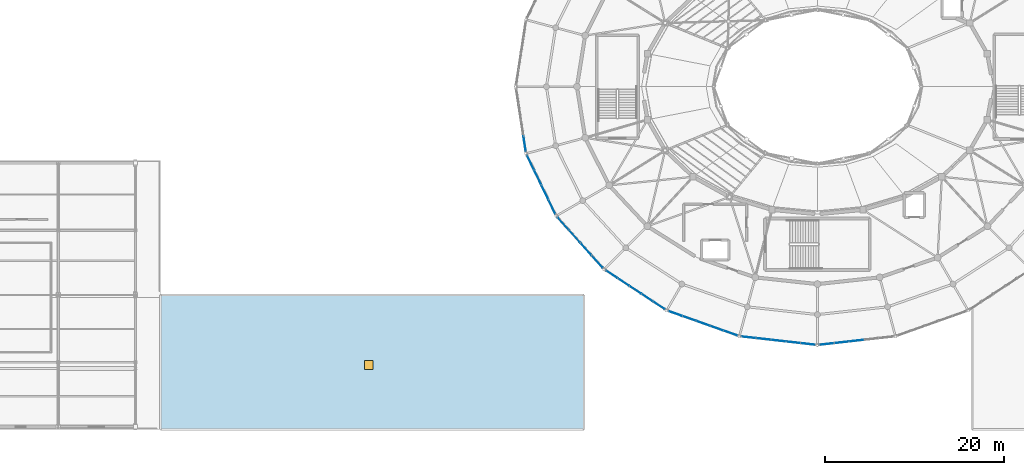
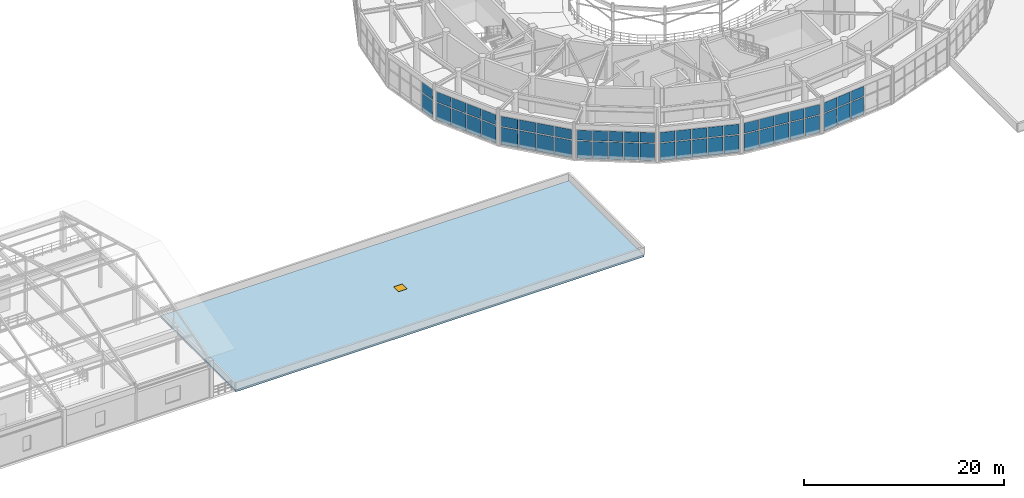
# One storey, part 73 of 112: 54 plates, 1 door, 1 slab, 1 opening, 7 elements without a shape of their own.
"""IFC4 building model written with IfcOpenShell, lengths in metres."""

from ifc_helpers import new_model, si_unit, direction, frame, origin, origin_2d, place, context, subcontext, project, spatial, polyline, rectangle, outline, extrude, material, layer, layer_set, type_object, element, fill, aggregate, save


model = new_model("IFC4")

# Units and contexts
model_context = context("Model", 3, precision=1e-05, world=origin(), true_north=direction((0.0, 1.0)))
body_context = subcontext(model_context, "Body", "Model", "MODEL_VIEW")
ifc_project = project(units=[si_unit("LENGTHUNIT", "METRE"), si_unit("AREAUNIT", "SQUARE_METRE"), si_unit("VOLUMEUNIT", "CUBIC_METRE"), si_unit("PLANEANGLEUNIT", "RADIAN"), si_unit("MASSUNIT", "GRAM", prefix="KILO")], contexts=[model_context])

# Site, building, storey
site_placement = place(None, origin())
site = spatial("IfcSite", under=ifc_project, at=site_placement, CompositionType="ELEMENT")
building_placement = place(site_placement, origin())
building = spatial("IfcBuilding", under=site, at=building_placement, Name="Cinderbank Siding Concert Hall", CompositionType="ELEMENT")
storey_placement = place(building_placement, frame((0.0, 0.0, 10.199951171875)))
storey = spatial("IfcBuildingStorey", under=building, at=storey_placement, Name="L03", CompositionType="ELEMENT", Elevation=10.199951171875)

# Curtain wall, plates
ifc_material_1 = material(Name="Anodised aluminium alloy 6063-T6", Category="aluminium")
curtain_wall_type_1 = type_object("IfcCurtainWallType", Name="CW-04 Unitised Acoustic Curtain Wall 7000x4400", PredefinedType="NOTDEFINED", material=ifc_material_1)
curtain_wall_1_placement = place(storey_placement, origin())
curtain_wall_1 = element("IfcCurtainWall", 1, at=curtain_wall_1_placement, inside=storey, type_object=curtain_wall_type_1, Name="L03 Curtain Wall CW-04 #40", PredefinedType="NOTDEFINED")
ifc_material_2 = material(Name="Double-glazed laminated acoustic glass", Category="glass")
ifc_layer_1 = layer(ifc_material_2, 0.035888671875)
ifc_layer_set_1 = layer_set([ifc_layer_1], Name="Double-glazed laminated acoustic glass")
plate_type_1 = type_object("IfcPlateType", Name="CP-01 Glazed Curtain Panel 1800x2200", PredefinedType="CURTAIN_PANEL", material=ifc_layer_set_1)
plate_1_placement = place(storey_placement, frame((99.0888671875, 23.077880859375, 0.1201171875), z_axis=(0.0, 0.0, 1.0), x_axis=(0.835491932304, -0.549502712509, 0.0)))
plate_1 = element("IfcPlate", 2, at=plate_1_placement, type_object=plate_type_1, Name="CW-L03-040 Glazed Panel 0-0", PredefinedType="CURTAIN_PANEL", context=body_context, shape_type="SweptSolid", body=[
    extrude(rectangle(XDim=1.47509765625, YDim=0.035888671875, at=origin_2d()), origin(), (0.0, 0.0, 1.0), 2.093505859375),
])
plate_2_placement = place(storey_placement, frame((99.0888671875, 23.077880859375, 2.333740234375), z_axis=(0.0, 0.0, 1.0), x_axis=(0.835491932304, -0.549502712509, 0.0)))
plate_2 = element("IfcPlate", 3, at=plate_2_placement, type_object=plate_type_1, Name="CW-L03-040 Glazed Panel 0-1", PredefinedType="CURTAIN_PANEL", context=body_context, shape_type="SweptSolid", body=[
    extrude(rectangle(XDim=1.47509765625, YDim=0.035888671875, at=origin_2d()), origin(), (0.0, 0.0, 1.0), 1.21337890625),
])
plate_3_placement = place(storey_placement, frame((100.40478515625, 22.21240234375, 0.1201171875), z_axis=(0.0, 0.0, 1.0), x_axis=(0.835491932304, -0.549502712509, 0.0)))
plate_3 = element("IfcPlate", 4, at=plate_3_placement, type_object=plate_type_1, Name="CW-L03-040 Glazed Panel 1-0", PredefinedType="CURTAIN_PANEL", context=body_context, shape_type="SweptSolid", body=[
    extrude(rectangle(XDim=1.47509765625, YDim=0.035888671875, at=origin_2d()), origin(), (0.0, 0.0, 1.0), 2.093505859375),
])
plate_4_placement = place(storey_placement, frame((100.40478515625, 22.21240234375, 2.333740234375), z_axis=(0.0, 0.0, 1.0), x_axis=(0.835491932304, -0.549502712509, 0.0)))
plate_4 = element("IfcPlate", 5, at=plate_4_placement, type_object=plate_type_1, Name="CW-L03-040 Glazed Panel 1-1", PredefinedType="CURTAIN_PANEL", context=body_context, shape_type="SweptSolid", body=[
    extrude(rectangle(XDim=1.47509765625, YDim=0.035888671875, at=origin_2d()), origin(), (0.0, 0.0, 1.0), 1.21337890625),
])
plate_5_placement = place(storey_placement, frame((101.720703125, 21.346923828125, 0.1201171875), z_axis=(0.0, 0.0, 1.0), x_axis=(0.835491932304, -0.549502712509, 0.0)))
plate_5 = element("IfcPlate", 6, at=plate_5_placement, type_object=plate_type_1, Name="CW-L03-040 Glazed Panel 2-0", PredefinedType="CURTAIN_PANEL", context=body_context, shape_type="SweptSolid", body=[
    extrude(rectangle(XDim=1.47509765625, YDim=0.035888671875, at=origin_2d()), origin(), (0.0, 0.0, 1.0), 2.093505859375),
])
plate_6_placement = place(storey_placement, frame((101.720703125, 21.346923828125, 2.333740234375), z_axis=(0.0, 0.0, 1.0), x_axis=(0.835491932304, -0.549502712509, 0.0)))
plate_6 = element("IfcPlate", 7, at=plate_6_placement, type_object=plate_type_1, Name="CW-L03-040 Glazed Panel 2-1", PredefinedType="CURTAIN_PANEL", context=body_context, shape_type="SweptSolid", body=[
    extrude(rectangle(XDim=1.47509765625, YDim=0.035888671875, at=origin_2d()), origin(), (0.0, 0.0, 1.0), 1.21337890625),
])
plate_7_placement = place(storey_placement, frame((103.03662109375, 20.4814453125, 0.1201171875), z_axis=(0.0, 0.0, 1.0), x_axis=(0.835491932304, -0.549502712509, 0.0)))
plate_7 = element("IfcPlate", 8, at=plate_7_placement, type_object=plate_type_1, Name="CW-L03-040 Glazed Panel 3-0", PredefinedType="CURTAIN_PANEL", context=body_context, shape_type="SweptSolid", body=[
    extrude(rectangle(XDim=1.47509765625, YDim=0.035888671875, at=origin_2d()), origin(), (0.0, 0.0, 1.0), 2.093505859375),
])
plate_8_placement = place(storey_placement, frame((103.03662109375, 20.4814453125, 2.333740234375), z_axis=(0.0, 0.0, 1.0), x_axis=(0.835491932304, -0.549502712509, 0.0)))
plate_8 = element("IfcPlate", 9, at=plate_8_placement, type_object=plate_type_1, Name="CW-L03-040 Glazed Panel 3-1", PredefinedType="CURTAIN_PANEL", context=body_context, shape_type="SweptSolid", body=[
    extrude(rectangle(XDim=1.47509765625, YDim=0.035888671875, at=origin_2d()), origin(), (0.0, 0.0, 1.0), 1.21337890625),
])
plate_9_placement = place(storey_placement, frame((104.352294921875, 19.615966796875, 0.1201171875), z_axis=(0.0, 0.0, 1.0), x_axis=(0.835491932304, -0.549502712509, 0.0)))
plate_9 = element("IfcPlate", 10, at=plate_9_placement, type_object=plate_type_1, Name="CW-L03-040 Glazed Panel 4-0", PredefinedType="CURTAIN_PANEL", context=body_context, shape_type="SweptSolid", body=[
    extrude(rectangle(XDim=1.47509765625, YDim=0.035888671875, at=origin_2d()), origin(), (0.0, 0.0, 1.0), 2.093505859375),
])
plate_10_placement = place(storey_placement, frame((104.352294921875, 19.615966796875, 2.333740234375), z_axis=(0.0, 0.0, 1.0), x_axis=(0.835491932304, -0.549502712509, 0.0)))
plate_10 = element("IfcPlate", 11, at=plate_10_placement, type_object=plate_type_1, Name="CW-L03-040 Glazed Panel 4-1", PredefinedType="CURTAIN_PANEL", context=body_context, shape_type="SweptSolid", body=[
    extrude(rectangle(XDim=1.47509765625, YDim=0.035888671875, at=origin_2d()), origin(), (0.0, 0.0, 1.0), 1.21337890625),
])
aggregate(curtain_wall_1, [plate_1, plate_2, plate_3, plate_4, plate_5, plate_6, plate_7, plate_8, plate_9, plate_10])

curtain_wall_type_2 = type_object("IfcCurtainWallType", Name="CW-05 Unitised Acoustic Curtain Wall 8200x3800", PredefinedType="NOTDEFINED", material=ifc_material_1)
curtain_wall_2_placement = place(storey_placement, origin())
curtain_wall_2 = element("IfcCurtainWall", 12, at=curtain_wall_2_placement, inside=storey, type_object=curtain_wall_type_2, Name="L03 Curtain Wall CW-05 #41", PredefinedType="NOTDEFINED")
ifc_layer_2 = layer(ifc_material_2, 0.035888671875)
ifc_layer_set_2 = layer_set([ifc_layer_2], Name="Double-glazed laminated acoustic glass")
plate_type_2 = type_object("IfcPlateType", Name="CP-02 Glazed Curtain Panel 1800x1900", PredefinedType="CURTAIN_PANEL", material=ifc_layer_set_2)
plate_11_placement = place(storey_placement, frame((106.181396484375, 18.7099609375, 0.1201171875), z_axis=(0.0, 0.0, 1.0), x_axis=(0.942365662238, -0.334584755532, 0.0)))
plate_11 = element("IfcPlate", 13, at=plate_11_placement, type_object=plate_type_2, Name="CW-L03-041 Glazed Panel 0-0", PredefinedType="CURTAIN_PANEL", context=body_context, shape_type="SweptSolid", body=[
    extrude(rectangle(XDim=1.529052734375, YDim=0.035888671875, at=origin_2d()), origin(), (0.0, 0.0, 1.0), 2.093505859375),
])
plate_12_placement = place(storey_placement, frame((106.181396484375, 18.7099609375, 2.333740234375), z_axis=(0.0, 0.0, 1.0), x_axis=(0.942365662238, -0.334584755532, 0.0)))
plate_12 = element("IfcPlate", 14, at=plate_12_placement, type_object=plate_type_2, Name="CW-L03-041 Glazed Panel 0-1", PredefinedType="CURTAIN_PANEL", context=body_context, shape_type="SweptSolid", body=[
    extrude(rectangle(XDim=1.529052734375, YDim=0.035888671875, at=origin_2d()), origin(), (0.0, 0.0, 1.0), 1.21337890625),
])
plate_13_placement = place(storey_placement, frame((107.716796875, 18.1650390625, 0.1201171875), z_axis=(0.0, 0.0, 1.0), x_axis=(0.942365662238, -0.334584755532, 0.0)))
plate_13 = element("IfcPlate", 15, at=plate_13_placement, type_object=plate_type_2, Name="CW-L03-041 Glazed Panel 1-0", PredefinedType="CURTAIN_PANEL", context=body_context, shape_type="SweptSolid", body=[
    extrude(rectangle(XDim=1.529052734375, YDim=0.035888671875, at=origin_2d()), origin(), (0.0, 0.0, 1.0), 2.093505859375),
])
plate_14_placement = place(storey_placement, frame((107.716796875, 18.1650390625, 2.333740234375), z_axis=(0.0, 0.0, 1.0), x_axis=(0.942365662238, -0.334584755532, 0.0)))
plate_14 = element("IfcPlate", 16, at=plate_14_placement, type_object=plate_type_2, Name="CW-L03-041 Glazed Panel 1-1", PredefinedType="CURTAIN_PANEL", context=body_context, shape_type="SweptSolid", body=[
    extrude(rectangle(XDim=1.529052734375, YDim=0.035888671875, at=origin_2d()), origin(), (0.0, 0.0, 1.0), 1.21337890625),
])
plate_15_placement = place(storey_placement, frame((109.251953125, 17.619873046875, 0.1201171875), z_axis=(0.0, 0.0, 1.0), x_axis=(0.942365662238, -0.334584755532, 0.0)))
plate_15 = element("IfcPlate", 17, at=plate_15_placement, type_object=plate_type_2, Name="CW-L03-041 Glazed Panel 2-0", PredefinedType="CURTAIN_PANEL", context=body_context, shape_type="SweptSolid", body=[
    extrude(rectangle(XDim=1.529052734375, YDim=0.035888671875, at=origin_2d()), origin(), (0.0, 0.0, 1.0), 2.093505859375),
])
plate_16_placement = place(storey_placement, frame((109.251953125, 17.619873046875, 2.333740234375), z_axis=(0.0, 0.0, 1.0), x_axis=(0.942365662238, -0.334584755532, 0.0)))
plate_16 = element("IfcPlate", 18, at=plate_16_placement, type_object=plate_type_2, Name="CW-L03-041 Glazed Panel 2-1", PredefinedType="CURTAIN_PANEL", context=body_context, shape_type="SweptSolid", body=[
    extrude(rectangle(XDim=1.529052734375, YDim=0.035888671875, at=origin_2d()), origin(), (0.0, 0.0, 1.0), 1.21337890625),
])
plate_17_placement = place(storey_placement, frame((110.787109375, 17.07470703125, 0.1201171875), z_axis=(0.0, 0.0, 1.0), x_axis=(0.942365662238, -0.334584755532, 0.0)))
plate_17 = element("IfcPlate", 19, at=plate_17_placement, type_object=plate_type_2, Name="CW-L03-041 Glazed Panel 3-0", PredefinedType="CURTAIN_PANEL", context=body_context, shape_type="SweptSolid", body=[
    extrude(rectangle(XDim=1.529052734375, YDim=0.035888671875, at=origin_2d()), origin(), (0.0, 0.0, 1.0), 2.093505859375),
])
plate_18_placement = place(storey_placement, frame((110.787109375, 17.07470703125, 2.333740234375), z_axis=(0.0, 0.0, 1.0), x_axis=(0.942365662238, -0.334584755532, 0.0)))
plate_18 = element("IfcPlate", 20, at=plate_18_placement, type_object=plate_type_2, Name="CW-L03-041 Glazed Panel 3-1", PredefinedType="CURTAIN_PANEL", context=body_context, shape_type="SweptSolid", body=[
    extrude(rectangle(XDim=1.529052734375, YDim=0.035888671875, at=origin_2d()), origin(), (0.0, 0.0, 1.0), 1.21337890625),
])
plate_19_placement = place(storey_placement, frame((112.322265625, 16.52978515625, 0.1201171875), z_axis=(0.0, 0.0, 1.0), x_axis=(0.942365662238, -0.334584755532, 0.0)))
plate_19 = element("IfcPlate", 21, at=plate_19_placement, type_object=plate_type_2, Name="CW-L03-041 Glazed Panel 4-0", PredefinedType="CURTAIN_PANEL", context=body_context, shape_type="SweptSolid", body=[
    extrude(rectangle(XDim=1.529052734375, YDim=0.035888671875, at=origin_2d()), origin(), (0.0, 0.0, 1.0), 2.093505859375),
])
plate_20_placement = place(storey_placement, frame((112.322265625, 16.52978515625, 2.333740234375), z_axis=(0.0, 0.0, 1.0), x_axis=(0.942365662238, -0.334584755532, 0.0)))
plate_20 = element("IfcPlate", 22, at=plate_20_placement, type_object=plate_type_2, Name="CW-L03-041 Glazed Panel 4-1", PredefinedType="CURTAIN_PANEL", context=body_context, shape_type="SweptSolid", body=[
    extrude(rectangle(XDim=1.529052734375, YDim=0.035888671875, at=origin_2d()), origin(), (0.0, 0.0, 1.0), 1.21337890625),
])
aggregate(curtain_wall_2, [plate_11, plate_12, plate_13, plate_14, plate_15, plate_16, plate_17, plate_18, plate_19, plate_20])

curtain_wall_type_3 = type_object("IfcCurtainWallType", Name="CW-06 Unitised Acoustic Curtain Wall 7600x3800", PredefinedType="NOTDEFINED", material=ifc_material_1)
curtain_wall_3_placement = place(storey_placement, origin())
curtain_wall_3 = element("IfcCurtainWall", 23, at=curtain_wall_3_placement, inside=storey, type_object=curtain_wall_type_3, Name="L03 Curtain Wall CW-06 #42", PredefinedType="NOTDEFINED")
ifc_layer_3 = layer(ifc_material_2, 0.035888671875)
ifc_layer_set_3 = layer_set([ifc_layer_3], Name="Double-glazed laminated acoustic glass")
plate_type_3 = type_object("IfcPlateType", Name="CP-03 Glazed Curtain Panel 1600x2100", PredefinedType="CURTAIN_PANEL", material=ifc_layer_set_3)
plate_21_placement = place(storey_placement, frame((114.353759765625, 16.062744140625, 0.1201171875), z_axis=(0.0, 0.0, 1.0), x_axis=(0.993693605349, -0.112129472879, 0.0)))
plate_21 = element("IfcPlate", 24, at=plate_21_placement, type_object=plate_type_3, Name="CW-L03-042 Glazed Panel 0-0", PredefinedType="CURTAIN_PANEL", context=body_context, shape_type="SweptSolid", body=[
    extrude(rectangle(XDim=1.5595703125, YDim=0.035888671875, at=origin_2d()), origin(), (0.0, 0.0, 1.0), 2.093505859375),
])
plate_22_placement = place(storey_placement, frame((114.353759765625, 16.062744140625, 2.333740234375), z_axis=(0.0, 0.0, 1.0), x_axis=(0.993693605349, -0.112129472879, 0.0)))
plate_22 = element("IfcPlate", 25, at=plate_22_placement, type_object=plate_type_3, Name="CW-L03-042 Glazed Panel 0-1", PredefinedType="CURTAIN_PANEL", context=body_context, shape_type="SweptSolid", body=[
    extrude(rectangle(XDim=1.5595703125, YDim=0.035888671875, at=origin_2d()), origin(), (0.0, 0.0, 1.0), 1.21337890625),
])
plate_23_placement = place(storey_placement, frame((116.002685546875, 15.876708984375, 0.1201171875), z_axis=(0.0, 0.0, 1.0), x_axis=(0.993693605349, -0.112129472879, 0.0)))
plate_23 = element("IfcPlate", 26, at=plate_23_placement, type_object=plate_type_3, Name="CW-L03-042 Glazed Panel 1-0", PredefinedType="CURTAIN_PANEL", context=body_context, shape_type="SweptSolid", body=[
    extrude(rectangle(XDim=1.5595703125, YDim=0.035888671875, at=origin_2d()), origin(), (0.0, 0.0, 1.0), 2.093505859375),
])
plate_24_placement = place(storey_placement, frame((116.002685546875, 15.876708984375, 2.333740234375), z_axis=(0.0, 0.0, 1.0), x_axis=(0.993693605349, -0.112129472879, 0.0)))
plate_24 = element("IfcPlate", 27, at=plate_24_placement, type_object=plate_type_3, Name="CW-L03-042 Glazed Panel 1-1", PredefinedType="CURTAIN_PANEL", context=body_context, shape_type="SweptSolid", body=[
    extrude(rectangle(XDim=1.5595703125, YDim=0.035888671875, at=origin_2d()), origin(), (0.0, 0.0, 1.0), 1.21337890625),
])
plate_25_placement = place(storey_placement, frame((117.65185546875, 15.690673828125, 0.1201171875), z_axis=(0.0, 0.0, 1.0), x_axis=(0.993693605349, -0.112129472879, 0.0)))
plate_25 = element("IfcPlate", 28, at=plate_25_placement, type_object=plate_type_3, Name="CW-L03-042 Glazed Panel 2-0", PredefinedType="CURTAIN_PANEL", context=body_context, shape_type="SweptSolid", body=[
    extrude(rectangle(XDim=1.5595703125, YDim=0.035888671875, at=origin_2d()), origin(), (0.0, 0.0, 1.0), 2.093505859375),
])
plate_26_placement = place(storey_placement, frame((117.65185546875, 15.690673828125, 2.333740234375), z_axis=(0.0, 0.0, 1.0), x_axis=(0.993693605349, -0.112129472879, 0.0)))
plate_26 = element("IfcPlate", 29, at=plate_26_placement, type_object=plate_type_3, Name="CW-L03-042 Glazed Panel 2-1", PredefinedType="CURTAIN_PANEL", context=body_context, shape_type="SweptSolid", body=[
    extrude(rectangle(XDim=1.5595703125, YDim=0.035888671875, at=origin_2d()), origin(), (0.0, 0.0, 1.0), 1.21337890625),
])
plate_27_placement = place(storey_placement, frame((119.30078125, 15.504638671875, 0.1201171875), z_axis=(0.0, 0.0, 1.0), x_axis=(0.993693605349, -0.112129472879, 0.0)))
plate_27 = element("IfcPlate", 30, at=plate_27_placement, type_object=plate_type_3, Name="CW-L03-042 Glazed Panel 3-0", PredefinedType="CURTAIN_PANEL", context=body_context, shape_type="SweptSolid", body=[
    extrude(rectangle(XDim=1.5595703125, YDim=0.035888671875, at=origin_2d()), origin(), (0.0, 0.0, 1.0), 2.093505859375),
])
plate_28_placement = place(storey_placement, frame((119.30078125, 15.504638671875, 2.333740234375), z_axis=(0.0, 0.0, 1.0), x_axis=(0.993693605349, -0.112129472879, 0.0)))
plate_28 = element("IfcPlate", 31, at=plate_28_placement, type_object=plate_type_3, Name="CW-L03-042 Glazed Panel 3-1", PredefinedType="CURTAIN_PANEL", context=body_context, shape_type="SweptSolid", body=[
    extrude(rectangle(XDim=1.5595703125, YDim=0.035888671875, at=origin_2d()), origin(), (0.0, 0.0, 1.0), 1.21337890625),
])
plate_29_placement = place(storey_placement, frame((120.949951171875, 15.318603515625, 0.1201171875), z_axis=(0.0, 0.0, 1.0), x_axis=(0.993693605349, -0.112129472879, 0.0)))
plate_29 = element("IfcPlate", 32, at=plate_29_placement, type_object=plate_type_3, Name="CW-L03-042 Glazed Panel 4-0", PredefinedType="CURTAIN_PANEL", context=body_context, shape_type="SweptSolid", body=[
    extrude(rectangle(XDim=1.5595703125, YDim=0.035888671875, at=origin_2d()), origin(), (0.0, 0.0, 1.0), 2.093505859375),
])
plate_30_placement = place(storey_placement, frame((120.949951171875, 15.318603515625, 2.333740234375), z_axis=(0.0, 0.0, 1.0), x_axis=(0.993693605349, -0.112129472879, 0.0)))
plate_30 = element("IfcPlate", 33, at=plate_30_placement, type_object=plate_type_3, Name="CW-L03-042 Glazed Panel 4-1", PredefinedType="CURTAIN_PANEL", context=body_context, shape_type="SweptSolid", body=[
    extrude(rectangle(XDim=1.5595703125, YDim=0.035888671875, at=origin_2d()), origin(), (0.0, 0.0, 1.0), 1.21337890625),
])
aggregate(curtain_wall_3, [plate_21, plate_22, plate_23, plate_24, plate_25, plate_26, plate_27, plate_28, plate_29, plate_30])

curtain_wall_type_4 = type_object("IfcCurtainWallType", Name="CW-07 Unitised Acoustic Curtain Wall 7000x3800", PredefinedType="NOTDEFINED", material=ifc_material_1)
curtain_wall_4_placement = place(storey_placement, origin())
curtain_wall_4 = element("IfcCurtainWall", 34, at=curtain_wall_4_placement, inside=storey, type_object=curtain_wall_type_4, Name="L03 Curtain Wall CW-07 #43", PredefinedType="NOTDEFINED")
ifc_layer_4 = layer(ifc_material_2, 0.031982421875)
ifc_layer_set_4 = layer_set([ifc_layer_4], Name="Double-glazed laminated acoustic glass")
plate_type_4 = type_object("IfcPlateType", Name="CP-04 Glazed Curtain Panel 1400x2000", PredefinedType="CURTAIN_PANEL", material=ifc_layer_set_4)
plate_31_placement = place(storey_placement, frame((123.050048828125, 15.318603515625, 0.1201171875), z_axis=(0.0, 0.0, 1.0), x_axis=(0.993693605349, 0.112129472879, 0.0)))
plate_31 = element("IfcPlate", 35, at=plate_31_placement, type_object=plate_type_4, Name="CW-L03-043 Glazed Panel 0-0", PredefinedType="CURTAIN_PANEL", context=body_context, shape_type="SweptSolid", body=[
    extrude(rectangle(XDim=1.5595703125, YDim=0.035888671875, at=origin_2d()), origin(), (0.0, 0.0, 1.0), 2.093505859375),
])
plate_32_placement = place(storey_placement, frame((123.050048828125, 15.318603515625, 2.333740234375), z_axis=(0.0, 0.0, 1.0), x_axis=(0.993693605349, 0.112129472879, 0.0)))
plate_32 = element("IfcPlate", 36, at=plate_32_placement, type_object=plate_type_4, Name="CW-L03-043 Glazed Panel 0-1", PredefinedType="CURTAIN_PANEL", context=body_context, shape_type="SweptSolid", body=[
    extrude(rectangle(XDim=1.5595703125, YDim=0.035888671875, at=origin_2d()), origin(), (0.0, 0.0, 1.0), 1.21337890625),
])
plate_33_placement = place(storey_placement, frame((124.69921875, 15.504638671875, 0.1201171875), z_axis=(0.0, 0.0, 1.0), x_axis=(0.993693605349, 0.112129472879, 0.0)))
plate_33 = element("IfcPlate", 37, at=plate_33_placement, type_object=plate_type_4, Name="CW-L03-043 Glazed Panel 1-0", PredefinedType="CURTAIN_PANEL", context=body_context, shape_type="SweptSolid", body=[
    extrude(rectangle(XDim=1.5595703125, YDim=0.035888671875, at=origin_2d()), origin(), (0.0, 0.0, 1.0), 2.093505859375),
])
plate_34_placement = place(storey_placement, frame((124.69921875, 15.504638671875, 2.333740234375), z_axis=(0.0, 0.0, 1.0), x_axis=(0.993693605349, 0.112129472879, 0.0)))
plate_34 = element("IfcPlate", 38, at=plate_34_placement, type_object=plate_type_4, Name="CW-L03-043 Glazed Panel 1-1", PredefinedType="CURTAIN_PANEL", context=body_context, shape_type="SweptSolid", body=[
    extrude(rectangle(XDim=1.5595703125, YDim=0.035888671875, at=origin_2d()), origin(), (0.0, 0.0, 1.0), 1.21337890625),
])
plate_35_placement = place(storey_placement, frame((126.34814453125, 15.690673828125, 0.1201171875), z_axis=(0.0, 0.0, 1.0), x_axis=(0.993693605349, 0.112129472879, 0.0)))
plate_35 = element("IfcPlate", 39, at=plate_35_placement, type_object=plate_type_4, Name="CW-L03-043 Glazed Panel 2-0", PredefinedType="CURTAIN_PANEL", context=body_context, shape_type="SweptSolid", body=[
    extrude(rectangle(XDim=1.5595703125, YDim=0.035888671875, at=origin_2d()), origin(), (0.0, 0.0, 1.0), 2.093505859375),
])
plate_36_placement = place(storey_placement, frame((126.34814453125, 15.690673828125, 2.333740234375), z_axis=(0.0, 0.0, 1.0), x_axis=(0.993693605349, 0.112129472879, 0.0)))
plate_36 = element("IfcPlate", 40, at=plate_36_placement, type_object=plate_type_4, Name="CW-L03-043 Glazed Panel 2-1", PredefinedType="CURTAIN_PANEL", context=body_context, shape_type="SweptSolid", body=[
    extrude(rectangle(XDim=1.5595703125, YDim=0.035888671875, at=origin_2d()), origin(), (0.0, 0.0, 1.0), 1.21337890625),
])
aggregate(curtain_wall_4, [plate_31, plate_32, plate_33, plate_34, plate_35, plate_36])

curtain_wall_type_5 = type_object("IfcCurtainWallType", Name="CW-01 Unitised Acoustic Curtain Wall 8200x4400", PredefinedType="NOTDEFINED", material=ifc_material_1)
curtain_wall_5_placement = place(storey_placement, origin())
curtain_wall_5 = element("IfcCurtainWall", 41, at=curtain_wall_5_placement, inside=storey, type_object=curtain_wall_type_5, Name="L03 Curtain Wall CW-01 #37", PredefinedType="NOTDEFINED")
ifc_layer_5 = layer(ifc_material_2, 0.0380859375)
ifc_layer_set_5 = layer_set([ifc_layer_5], Name="Double-glazed laminated acoustic glass")
plate_type_5 = type_object("IfcPlateType", Name="CP-06 Glazed Curtain Panel 2100x1600", PredefinedType="CURTAIN_PANEL", material=ifc_layer_set_5)
plate_37_placement = place(storey_placement, frame((89.3759765625, 37.64599609375, 0.1201171875), z_axis=(0.0, 0.0, 1.0), x_axis=(0.151815048473, -0.988408918949, 0.0)))
plate_37 = element("IfcPlate", 42, at=plate_37_placement, type_object=plate_type_5, Name="CW-L03-037 Glazed Panel 3-0", PredefinedType="CURTAIN_PANEL", context=body_context, shape_type="SweptSolid", body=[
    extrude(rectangle(XDim=1.671875, YDim=0.035888671875, at=origin_2d()), origin(), (0.0, 0.0, 1.0), 2.093505859375),
])
plate_38_placement = place(storey_placement, frame((89.3759765625, 37.64599609375, 2.333740234375), z_axis=(0.0, 0.0, 1.0), x_axis=(0.151815048473, -0.988408918949, 0.0)))
plate_38 = element("IfcPlate", 43, at=plate_38_placement, type_object=plate_type_5, Name="CW-L03-037 Glazed Panel 3-1", PredefinedType="CURTAIN_PANEL", context=body_context, shape_type="SweptSolid", body=[
    extrude(rectangle(XDim=1.671875, YDim=0.035888671875, at=origin_2d()), origin(), (0.0, 0.0, 1.0), 1.21337890625),
])
aggregate(curtain_wall_5, [plate_37, plate_38])

curtain_wall_type_6 = type_object("IfcCurtainWallType", Name="CW-02 Unitised Acoustic Curtain Wall 7800x4400", PredefinedType="NOTDEFINED", material=ifc_material_1)
curtain_wall_6_placement = place(storey_placement, origin())
curtain_wall_6 = element("IfcCurtainWall", 44, at=curtain_wall_6_placement, inside=storey, type_object=curtain_wall_type_6, Name="L03 Curtain Wall CW-02 #38", PredefinedType="NOTDEFINED")
ifc_layer_6 = layer(ifc_material_2, 0.033935546875)
ifc_layer_set_6 = layer_set([ifc_layer_6], Name="Double-glazed laminated acoustic glass")
plate_type_6 = type_object("IfcPlateType", Name="CP-07 Glazed Curtain Panel 1500x1750", PredefinedType="CURTAIN_PANEL", material=ifc_layer_set_6)
plate_39_placement = place(storey_placement, frame((90.03857421875, 35.5244140625, 0.1201171875), z_axis=(0.0, 0.0, 1.0), x_axis=(0.435102109714, -0.900381116041, 0.0)))
plate_39 = element("IfcPlate", 45, at=plate_39_placement, type_object=plate_type_6, Name="CW-L03-038 Glazed Panel 0-0", PredefinedType="CURTAIN_PANEL", context=body_context, shape_type="SweptSolid", body=[
    extrude(rectangle(XDim=1.715087890625, YDim=0.035888671875, at=origin_2d()), origin(), (0.0, 0.0, 1.0), 2.093505859375),
])
plate_40_placement = place(storey_placement, frame((90.03857421875, 35.5244140625, 2.333740234375), z_axis=(0.0, 0.0, 1.0), x_axis=(0.435102109714, -0.900381116041, 0.0)))
plate_40 = element("IfcPlate", 46, at=plate_40_placement, type_object=plate_type_6, Name="CW-L03-038 Glazed Panel 0-1", PredefinedType="CURTAIN_PANEL", context=body_context, shape_type="SweptSolid", body=[
    extrude(rectangle(XDim=1.715087890625, YDim=0.035888671875, at=origin_2d()), origin(), (0.0, 0.0, 1.0), 1.21337890625),
])
plate_41_placement = place(storey_placement, frame((90.828369140625, 33.89013671875, 0.1201171875), z_axis=(0.0, 0.0, 1.0), x_axis=(0.435102109714, -0.900381116041, 0.0)))
plate_41 = element("IfcPlate", 47, at=plate_41_placement, type_object=plate_type_6, Name="CW-L03-038 Glazed Panel 1-0", PredefinedType="CURTAIN_PANEL", context=body_context, shape_type="SweptSolid", body=[
    extrude(rectangle(XDim=1.715087890625, YDim=0.035888671875, at=origin_2d()), origin(), (0.0, 0.0, 1.0), 2.093505859375),
])
plate_42_placement = place(storey_placement, frame((90.828369140625, 33.89013671875, 2.333740234375), z_axis=(0.0, 0.0, 1.0), x_axis=(0.435102109714, -0.900381116041, 0.0)))
plate_42 = element("IfcPlate", 48, at=plate_42_placement, type_object=plate_type_6, Name="CW-L03-038 Glazed Panel 1-1", PredefinedType="CURTAIN_PANEL", context=body_context, shape_type="SweptSolid", body=[
    extrude(rectangle(XDim=1.715087890625, YDim=0.035888671875, at=origin_2d()), origin(), (0.0, 0.0, 1.0), 1.21337890625),
])
plate_43_placement = place(storey_placement, frame((91.6181640625, 32.255859375, 0.1201171875), z_axis=(0.0, 0.0, 1.0), x_axis=(0.435102109714, -0.900381116041, 0.0)))
plate_43 = element("IfcPlate", 49, at=plate_43_placement, type_object=plate_type_6, Name="CW-L03-038 Glazed Panel 2-0", PredefinedType="CURTAIN_PANEL", context=body_context, shape_type="SweptSolid", body=[
    extrude(rectangle(XDim=1.715087890625, YDim=0.035888671875, at=origin_2d()), origin(), (0.0, 0.0, 1.0), 2.093505859375),
])
plate_44_placement = place(storey_placement, frame((91.6181640625, 32.255859375, 2.333740234375), z_axis=(0.0, 0.0, 1.0), x_axis=(0.435102109714, -0.900381116041, 0.0)))
plate_44 = element("IfcPlate", 50, at=plate_44_placement, type_object=plate_type_6, Name="CW-L03-038 Glazed Panel 2-1", PredefinedType="CURTAIN_PANEL", context=body_context, shape_type="SweptSolid", body=[
    extrude(rectangle(XDim=1.715087890625, YDim=0.035888671875, at=origin_2d()), origin(), (0.0, 0.0, 1.0), 1.21337890625),
])
plate_45_placement = place(storey_placement, frame((92.407958984375, 30.62158203125, 0.1201171875), z_axis=(0.0, 0.0, 1.0), x_axis=(0.435102109714, -0.900381116041, 0.0)))
plate_45 = element("IfcPlate", 51, at=plate_45_placement, type_object=plate_type_6, Name="CW-L03-038 Glazed Panel 3-0", PredefinedType="CURTAIN_PANEL", context=body_context, shape_type="SweptSolid", body=[
    extrude(rectangle(XDim=1.715087890625, YDim=0.035888671875, at=origin_2d()), origin(), (0.0, 0.0, 1.0), 2.093505859375),
])
plate_46_placement = place(storey_placement, frame((92.407958984375, 30.62158203125, 2.333740234375), z_axis=(0.0, 0.0, 1.0), x_axis=(0.435102109714, -0.900381116041, 0.0)))
plate_46 = element("IfcPlate", 52, at=plate_46_placement, type_object=plate_type_6, Name="CW-L03-038 Glazed Panel 3-1", PredefinedType="CURTAIN_PANEL", context=body_context, shape_type="SweptSolid", body=[
    extrude(rectangle(XDim=1.715087890625, YDim=0.035888671875, at=origin_2d()), origin(), (0.0, 0.0, 1.0), 1.21337890625),
])
aggregate(curtain_wall_6, [plate_39, plate_40, plate_41, plate_42, plate_43, plate_44, plate_45, plate_46])

curtain_wall_type_7 = type_object("IfcCurtainWallType", Name="CW-03 Unitised Acoustic Curtain Wall 7400x4400", PredefinedType="NOTDEFINED", material=ifc_material_1)
curtain_wall_7_placement = place(storey_placement, origin())
curtain_wall_7 = element("IfcCurtainWall", 53, at=curtain_wall_7_placement, inside=storey, type_object=curtain_wall_type_7, Name="L03 Curtain Wall CW-03 #39", PredefinedType="NOTDEFINED")
ifc_layer_7 = layer(ifc_material_2, 0.033935546875)
ifc_layer_set_7 = layer_set([ifc_layer_7], Name="Double-glazed laminated acoustic glass")
plate_type_7 = type_object("IfcPlateType", Name="CP-08 Glazed Curtain Panel 1700x1550", PredefinedType="CURTAIN_PANEL", material=ifc_layer_set_7)
plate_47_placement = place(storey_placement, frame((93.6826171875, 28.7275390625, 0.1201171875), z_axis=(0.0, 0.0, 1.0), x_axis=(0.666993465338, -0.745063565877, 0.0)))
plate_47 = element("IfcPlate", 54, at=plate_47_placement, type_object=plate_type_7, Name="CW-L03-039 Glazed Panel 0-0", PredefinedType="CURTAIN_PANEL", context=body_context, shape_type="SweptSolid", body=[
    extrude(rectangle(XDim=1.787841796875, YDim=0.035888671875, at=origin_2d()), origin(), (0.0, 0.0, 1.0), 2.093505859375),
])
plate_48_placement = place(storey_placement, frame((93.6826171875, 28.7275390625, 2.333740234375), z_axis=(0.0, 0.0, 1.0), x_axis=(0.666993465338, -0.745063565877, 0.0)))
plate_48 = element("IfcPlate", 55, at=plate_48_placement, type_object=plate_type_7, Name="CW-L03-039 Glazed Panel 0-1", PredefinedType="CURTAIN_PANEL", context=body_context, shape_type="SweptSolid", body=[
    extrude(rectangle(XDim=1.787841796875, YDim=0.035888671875, at=origin_2d()), origin(), (0.0, 0.0, 1.0), 1.21337890625),
])
plate_49_placement = place(storey_placement, frame((94.941650390625, 27.321044921875, 0.1201171875), z_axis=(0.0, 0.0, 1.0), x_axis=(0.666993465338, -0.745063565877, 0.0)))
plate_49 = element("IfcPlate", 56, at=plate_49_placement, type_object=plate_type_7, Name="CW-L03-039 Glazed Panel 1-0", PredefinedType="CURTAIN_PANEL", context=body_context, shape_type="SweptSolid", body=[
    extrude(rectangle(XDim=1.787841796875, YDim=0.035888671875, at=origin_2d()), origin(), (0.0, 0.0, 1.0), 2.093505859375),
])
plate_50_placement = place(storey_placement, frame((94.941650390625, 27.321044921875, 2.333740234375), z_axis=(0.0, 0.0, 1.0), x_axis=(0.666993465338, -0.745063565877, 0.0)))
plate_50 = element("IfcPlate", 57, at=plate_50_placement, type_object=plate_type_7, Name="CW-L03-039 Glazed Panel 1-1", PredefinedType="CURTAIN_PANEL", context=body_context, shape_type="SweptSolid", body=[
    extrude(rectangle(XDim=1.787841796875, YDim=0.035888671875, at=origin_2d()), origin(), (0.0, 0.0, 1.0), 1.21337890625),
])
plate_51_placement = place(storey_placement, frame((96.200927734375, 25.914306640625, 0.1201171875), z_axis=(0.0, 0.0, 1.0), x_axis=(0.666993465338, -0.745063565877, 0.0)))
plate_51 = element("IfcPlate", 58, at=plate_51_placement, type_object=plate_type_7, Name="CW-L03-039 Glazed Panel 2-0", PredefinedType="CURTAIN_PANEL", context=body_context, shape_type="SweptSolid", body=[
    extrude(rectangle(XDim=1.787841796875, YDim=0.035888671875, at=origin_2d()), origin(), (0.0, 0.0, 1.0), 2.093505859375),
])
plate_52_placement = place(storey_placement, frame((96.200927734375, 25.914306640625, 2.333740234375), z_axis=(0.0, 0.0, 1.0), x_axis=(0.666993465338, -0.745063565877, 0.0)))
plate_52 = element("IfcPlate", 59, at=plate_52_placement, type_object=plate_type_7, Name="CW-L03-039 Glazed Panel 2-1", PredefinedType="CURTAIN_PANEL", context=body_context, shape_type="SweptSolid", body=[
    extrude(rectangle(XDim=1.787841796875, YDim=0.035888671875, at=origin_2d()), origin(), (0.0, 0.0, 1.0), 1.21337890625),
])
plate_53_placement = place(storey_placement, frame((97.460205078125, 24.5078125, 0.1201171875), z_axis=(0.0, 0.0, 1.0), x_axis=(0.666993465338, -0.745063565877, 0.0)))
plate_53 = element("IfcPlate", 60, at=plate_53_placement, type_object=plate_type_7, Name="CW-L03-039 Glazed Panel 3-0", PredefinedType="CURTAIN_PANEL", context=body_context, shape_type="SweptSolid", body=[
    extrude(rectangle(XDim=1.787841796875, YDim=0.035888671875, at=origin_2d()), origin(), (0.0, 0.0, 1.0), 2.093505859375),
])
plate_54_placement = place(storey_placement, frame((97.460205078125, 24.5078125, 2.333740234375), z_axis=(0.0, 0.0, 1.0), x_axis=(0.666993465338, -0.745063565877, 0.0)))
plate_54 = element("IfcPlate", 61, at=plate_54_placement, type_object=plate_type_7, Name="CW-L03-039 Glazed Panel 3-1", PredefinedType="CURTAIN_PANEL", context=body_context, shape_type="SweptSolid", body=[
    extrude(rectangle(XDim=1.787841796875, YDim=0.035888671875, at=origin_2d()), origin(), (0.0, 0.0, 1.0), 1.21337890625),
])
aggregate(curtain_wall_7, [plate_47, plate_48, plate_49, plate_50, plate_51, plate_52, plate_53, plate_54])

# Slab, opening, door
ifc_material_3 = material(Name="Reinforced concrete AS 3600 N50 (50 MPa)", Category="concrete")
ifc_layer_8 = layer(ifc_material_3, 0.22998046875)
ifc_layer_set_8 = layer_set([ifc_layer_8], Name="Reinforced concrete AS 3600 N50 (50 MPa)")
slab_type = type_object("IfcSlabType", Name="RF-01 Slab 230mm", PredefinedType="ROOF", material=ifc_layer_set_8)
slab_placement = place(storey_placement, frame((0.0, 0.0, -0.349853515625)))
slab = element("IfcSlab", 62, at=slab_placement, inside=storey, type_object=slab_type, Name="L03 SL Non-Accessible Roof", PredefinedType="ROOF", context=body_context, shape_type="SweptSolid", body=[
    extrude(outline(polyline([(96.0, 20.800048828125), (96.0, 5.800048828125), (48.800048828125, 5.800048828125), (48.800048828125, 20.800048828125), (96.0, 20.800048828125)]), holes=[polyline([(71.5, 12.5), (72.5, 12.5), (72.5, 13.5), (71.5, 13.5), (71.5, 12.5)])]), origin(), (0.0, 0.0, 1.0), 0.22998046875),
])
opening_placement = place(slab_placement, frame((72.0, 13.0, -0.011962890625)))
opening = element("IfcOpeningElement", 63, at=opening_placement, cuts=slab, Name="Opening RH-01", PredefinedType="OPENING", context=body_context, shape_type="SweptSolid", body=[
    extrude(rectangle(XDim=1.0, YDim=1.0, at=origin_2d()), origin(), (0.0, 0.0, 1.0), 0.25390625),
])
ifc_material_4 = material(Name="Galvanised sheet steel acoustic fire door assembly", Category="steel")
door_type = type_object("IfcDoorType", Name="RH-01 Exterior Trapdoor 1000x1000", OperationType="SINGLE_SWING_LEFT", PredefinedType="TRAPDOOR", material=ifc_material_4)
door_placement = place(slab_placement, frame((72.0, 13.0, 0.179931640625)))
door = element("IfcDoor", 64, at=door_placement, inside=storey, type_object=door_type, Name="Roof Maintenance Hatch L03-RH02", OperationType="SINGLE_SWING_LEFT", OverallHeight=1.0, OverallWidth=1.0, PredefinedType="TRAPDOOR", context=body_context, shape_type="SweptSolid", body=[
    extrude(rectangle(XDim=1.0, YDim=1.0, at=origin_2d()), origin(), (0.0, 0.0, 1.0), 0.050048828125),
])
fill(opening, door)

save(model, "model.ifc")
